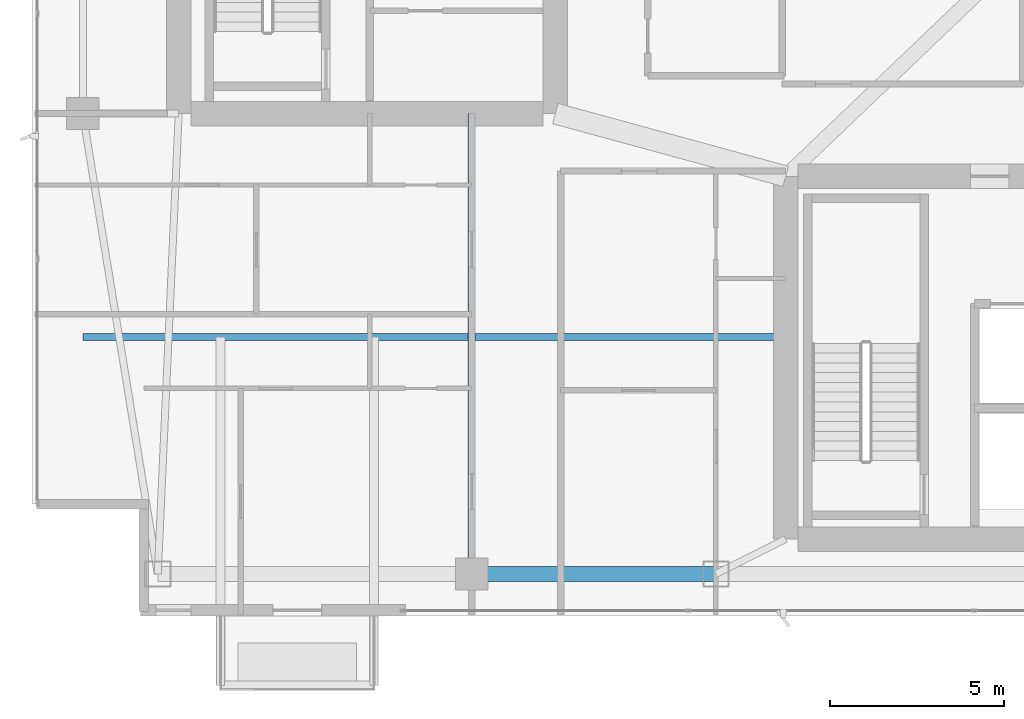
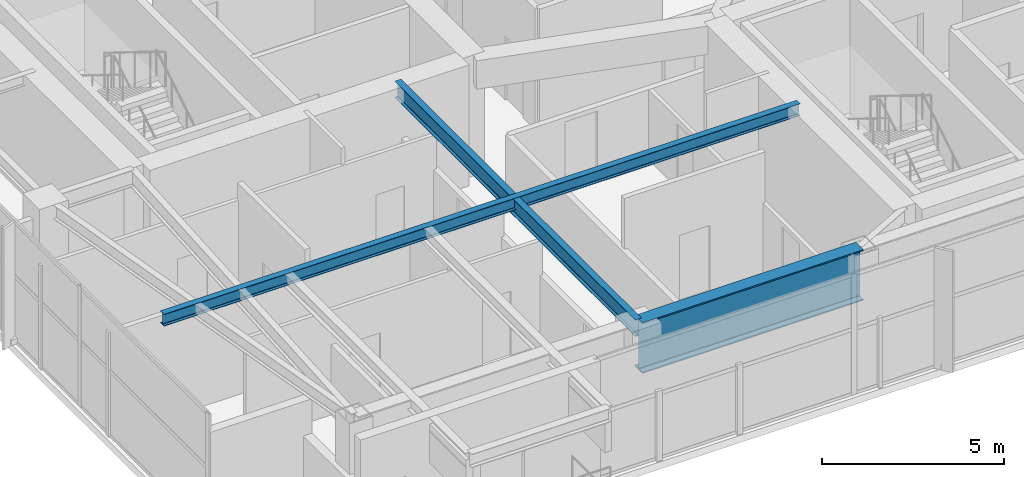
# One storey, part 6 of 29: 3 beams.
"""IFC4 building model written with IfcOpenShell, lengths in metres."""

from ifc_helpers import new_model, si_unit, direction, frame, origin, origin_2d, place, context, subcontext, project, spatial, i_section, extrude, material, material_profile, profile_set, type_object, element, save


model = new_model("IFC4")

# Units and contexts
model_context = context("Model", 3, precision=1e-05, world=origin(), true_north=direction((0.0, 1.0)))
body_context = subcontext(model_context, "Body", "Model", "MODEL_VIEW")
ifc_project = project(units=[si_unit("LENGTHUNIT", "METRE"), si_unit("AREAUNIT", "SQUARE_METRE"), si_unit("VOLUMEUNIT", "CUBIC_METRE"), si_unit("PLANEANGLEUNIT", "RADIAN"), si_unit("MASSUNIT", "GRAM", prefix="KILO")], contexts=[model_context])

# Site, building, storey
site_placement = place(None, origin())
site = spatial("IfcSite", under=ifc_project, at=site_placement, CompositionType="ELEMENT")
building_placement = place(site_placement, origin())
building = spatial("IfcBuilding", under=site, at=building_placement, Name="Calvorn Quay Hotel", CompositionType="ELEMENT")
storey_placement = place(building_placement, frame((0.0, 0.0, 259.0)))
storey = spatial("IfcBuildingStorey", under=building, at=storey_placement, Name="L64", CompositionType="ELEMENT", Elevation=259.0)

# Beams
ifc_material_1 = material(Name="Steel Q355B", Category="steel")
ifc_material_profile_1 = material_profile(ifc_material_1, i_section(OverallWidth=0.199951171875, OverallDepth=0.550048828125, WebThickness=0.010009765625, FlangeThickness=0.01611328125, FilletRadius=0.01806640625, at=origin_2d()), Name="HN550x200x10x16")
ifc_profile_set_1 = profile_set([ifc_material_profile_1], Name="Steel Q355B")
beam_type_1 = type_object("IfcBeamType", Name="BM-GIRD-UPP", PredefinedType="BEAM", material=ifc_profile_set_1)
beam_1_placement = place(storey_placement, frame((12.60009765625, 3.60009765625, 3.77490234375), z_axis=(0.0, 1.0, 0.0), x_axis=(-1.0, 0.0, 0.0)))
element("IfcBeam", 1, at=beam_1_placement, inside=storey, type_object=beam_type_1, Name="Beam BG-L64-S1", PredefinedType="BEAM", context=body_context, shape_type="SweptSolid", body=[
    extrude(i_section(OverallWidth=0.199951171875, OverallDepth=0.550048828125, WebThickness=0.010009765625, FlangeThickness=0.01611328125, FilletRadius=0.01806640625, at=origin_2d()), origin(), (0.0, 0.0, 1.0), 13.199951171875),
])
ifc_material_2 = material(Name="Steel Q355B", Category="steel")
ifc_material_profile_2 = material_profile(ifc_material_2, i_section(OverallWidth=0.199951171875, OverallDepth=0.39990234375, WebThickness=0.008056640625, FlangeThickness=0.012939453125, FilletRadius=0.01611328125, at=origin_2d()), Name="HN400x200x8x13")
ifc_profile_set_2 = profile_set([ifc_material_profile_2], Name="Steel Q355B")
beam_type_2 = type_object("IfcBeamType", Name="BM-JOIST-TYP", PredefinedType="JOIST", material=ifc_profile_set_2)
beam_2_placement = place(storey_placement, frame((1.449951171875, 10.39990234375, 3.85009765625), z_axis=(1.0, 0.0, 0.0), x_axis=(0.0, 1.0, 0.0)))
element("IfcBeam", 2, at=beam_2_placement, inside=storey, type_object=beam_type_2, Name="Beam BJ-L64-W1", PredefinedType="JOIST", context=body_context, shape_type="SweptSolid", body=[
    extrude(i_section(OverallWidth=0.199951171875, OverallDepth=0.39990234375, WebThickness=0.008056640625, FlangeThickness=0.012939453125, FilletRadius=0.01611328125, at=origin_2d()), origin(), (0.0, 0.0, 1.0), 20.150146484375),
])
ifc_material_3 = material(Name="Steel Q420GJC", Category="steel")
ifc_material_profile_3 = material_profile(ifc_material_3, i_section(OverallWidth=0.419921875, OverallDepth=1.699951171875, WebThickness=0.02392578125, FlangeThickness=0.0419921875, FilletRadius=0.02392578125, at=origin_2d()), Name="HN1700x420x24x42")
ifc_profile_set_3 = profile_set([ifc_material_profile_3], Name="Steel Q420GJC")
beam_type_3 = type_object("IfcBeamType", Name="BM-XFER-SAWTOOTH", PredefinedType="BEAM", material=ifc_profile_set_3)
beam_3_placement = place(storey_placement, frame((12.60009765625, 3.60009765625, 3.199951171875), z_axis=(1.0, 0.0, 0.0), x_axis=(0.0, 1.0, 0.0)))
element("IfcBeam", 3, at=beam_3_placement, inside=storey, type_object=beam_type_3, Name="Beam BSP-L64-S2", PredefinedType="BEAM", context=body_context, shape_type="SweptSolid", body=[
    extrude(i_section(OverallWidth=0.419921875, OverallDepth=1.699951171875, WebThickness=0.02392578125, FlangeThickness=0.0419921875, FilletRadius=0.02392578125, at=origin_2d()), origin(), (0.0, 0.0, 1.0), 7.0),
])

save(model, "model.ifc")
